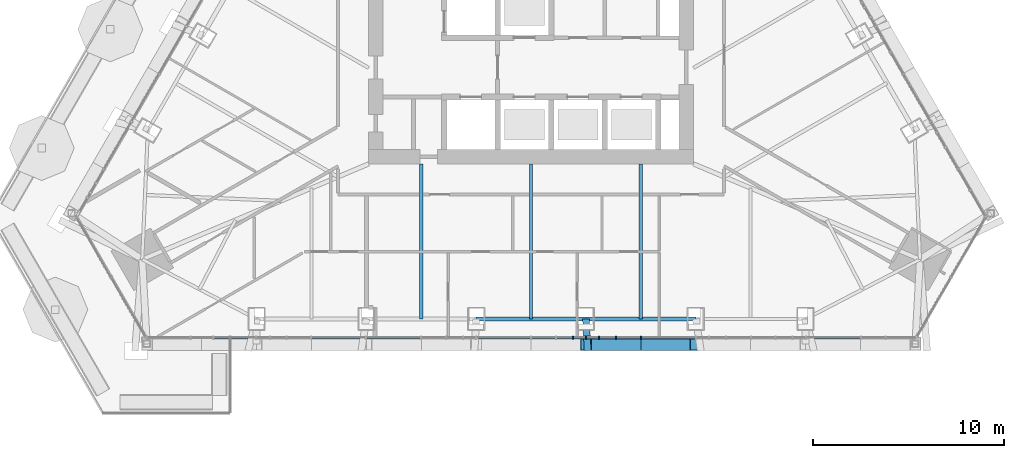
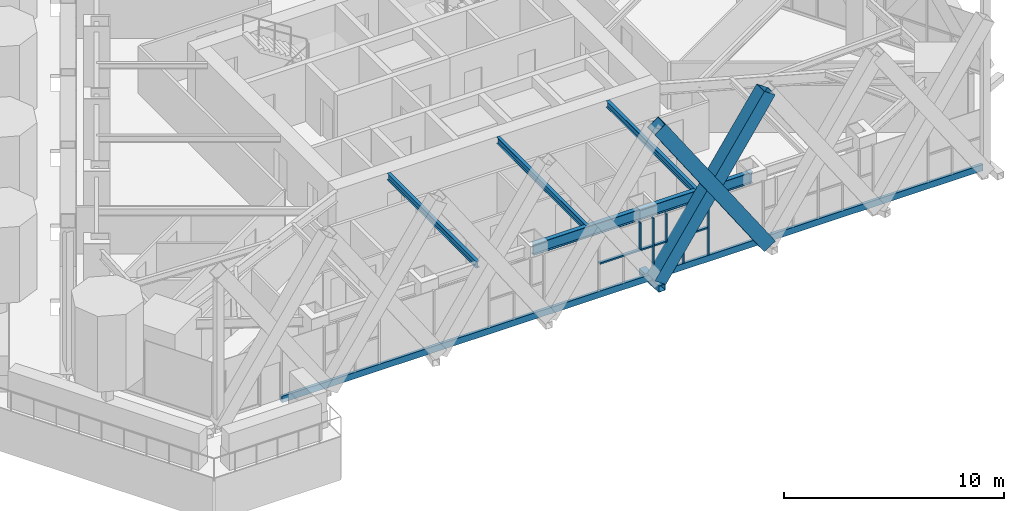
# One storey, part 3 of 24: 11 members, 4 beams, 1 element without a shape of its own.
"""IFC4 building model written with IfcOpenShell, lengths in metres."""

from ifc_helpers import new_model, si_unit, direction, frame, origin, origin_2d, place, context, subcontext, project, spatial, rectangle, hollow_rectangle, i_section, extrude, material, layer, layer_set, material_profile, profile_set, type_object, element, aggregate, save


model = new_model("IFC4")

# Units and contexts
model_context = context("Model", 3, precision=1e-05, world=origin(), true_north=direction((0.0, 1.0)))
body_context = subcontext(model_context, "Body", "Model", "MODEL_VIEW")
ifc_project = project(units=[si_unit("LENGTHUNIT", "METRE"), si_unit("AREAUNIT", "SQUARE_METRE"), si_unit("VOLUMEUNIT", "CUBIC_METRE"), si_unit("PLANEANGLEUNIT", "RADIAN"), si_unit("MASSUNIT", "GRAM", prefix="KILO")], contexts=[model_context])

# Site, building, storey
site_placement = place(None, origin())
site = spatial("IfcSite", under=ifc_project, at=site_placement, CompositionType="ELEMENT")
building_placement = place(site_placement, origin())
building = spatial("IfcBuilding", under=site, at=building_placement, Name="Firuza Gate Tower and Library", CompositionType="ELEMENT")
storey_placement = place(building_placement, frame((0.0, 0.0, 323.10009765625)))
storey = spatial("IfcBuildingStorey", under=building, at=storey_placement, Name="L79", CompositionType="ELEMENT", Elevation=323.10009765625)

# Members
ifc_material_1 = material(Name="Steel S355", Category="steel")
ifc_material_profile_1 = material_profile(ifc_material_1, hollow_rectangle(XDim=0.699951171875, YDim=0.699951171875, WallThickness=0.030029296875, at=origin_2d()))
ifc_profile_set_1 = profile_set([ifc_material_profile_1], Name="Steel S355")
member_type_1 = type_object("IfcMemberType", Name="BU700x700x30 Lattice brace", PredefinedType="BRACE", material=ifc_profile_set_1)
for number, where, z_axis, x_axis, name in (
    (1, (77.8720703125, 58.8359375, 0.0), (0.559901128123, 0.0, 0.828559428603), (0.0, 1.0, 0.0), "Lattice brace S 21.5R"),
    (2, (83.615966796875, 58.8359375, 0.0), (-0.559901128123, 0.0, 0.828559428603), (0.0, -1.0, 0.0), "Lattice brace S 21.5L"),
):
    element("IfcMember", number, at=place(storey_placement, frame(where, z_axis=z_axis, x_axis=x_axis)), inside=storey, type_object=member_type_1, Name=name, PredefinedType="BRACE", context=body_context, shape_type="SweptSolid", body=[
        extrude(hollow_rectangle(XDim=0.699951171875, YDim=0.699951171875, WallThickness=0.030029296875, at=origin_2d()), origin(), (0.0, 0.0, 1.0), 10.2587890625),
    ])

# Curtain wall, members
ifc_material_2 = material(Name="Aluminium 6063-T6", Category="aluminium")
ifc_layer = layer(ifc_material_2, 0.14990234375)
ifc_layer_set = layer_set([ifc_layer], Name="Unitised curtain wall, residences")
curtain_wall_type = type_object("IfcCurtainWallType", Name="Unitised curtain wall, residences", PredefinedType="NOTDEFINED", material=ifc_layer_set)
curtain_wall_placement = place(storey_placement, origin())
curtain_wall = element("IfcCurtainWall", 3, at=curtain_wall_placement, inside=storey, type_object=curtain_wall_type, Name="CW3 L79 S face", PredefinedType="NOTDEFINED")
ifc_material_3 = material(Name="Aluminium 6063-T6", Category="aluminium")
ifc_material_profile_2 = material_profile(ifc_material_3, rectangle(XDim=0.14990234375, YDim=0.080078125, at=origin_2d()))
ifc_profile_set_2 = profile_set([ifc_material_profile_2], Name="Aluminium 6063-T6")
member_type_2 = type_object("IfcMemberType", Name="Curtain wall mullion 80x150", PredefinedType="MULLION", material=ifc_profile_set_2)
member_1_placement = place(storey_placement, frame((77.878173828125, 59.1611328125, 0.14990234375), z_axis=(0.0, 0.0, 1.0), x_axis=(0.0, 1.0, 0.0)))
member_1 = element("IfcMember", 4, at=member_1_placement, type_object=member_type_2, Name="Mullion", PredefinedType="MULLION", context=body_context, shape_type="SweptSolid", body=[
    extrude(rectangle(XDim=0.14990234375, YDim=0.080078125, at=origin_2d()), origin(), (0.0, 0.0, 1.0), 3.050048828125),
])
member_2_placement = place(storey_placement, frame((80.75634765625, 59.1611328125, 0.14990234375), z_axis=(0.0, 0.0, 1.0), x_axis=(0.0, 1.0, 0.0)))
member_2 = element("IfcMember", 5, at=member_2_placement, type_object=member_type_2, Name="Mullion", PredefinedType="MULLION", context=body_context, shape_type="SweptSolid", body=[
    extrude(rectangle(XDim=0.14990234375, YDim=0.080078125, at=origin_2d()), origin(), (0.0, 0.0, 1.0), 3.050048828125),
])
member_3_placement = place(storey_placement, frame((77.180419921875, 59.1611328125, 1.71484375), z_axis=(0.0, 0.0, 1.0), x_axis=(0.0, 1.0, 0.0)))
member_3 = element("IfcMember", 6, at=member_3_placement, type_object=member_type_2, Name="Mullion", PredefinedType="MULLION", context=body_context, shape_type="SweptSolid", body=[
    extrude(rectangle(XDim=0.14990234375, YDim=0.080078125, at=origin_2d()), origin(), (0.0, 0.0, 1.0), 1.485107421875),
])
member_4_placement = place(storey_placement, frame((79.4443359375, 59.1611328125, 0.14990234375), z_axis=(0.0, 0.0, 1.0), x_axis=(0.0, 1.0, 0.0)))
member_4 = element("IfcMember", 7, at=member_4_placement, type_object=member_type_2, Name="Mullion", PredefinedType="MULLION", context=body_context, shape_type="SweptSolid", body=[
    extrude(rectangle(XDim=0.14990234375, YDim=0.080078125, at=origin_2d()), origin(), (0.0, 0.0, 1.0), 1.485107421875),
])
member_5_placement = place(storey_placement, frame((78.5634765625, 59.1611328125, 1.71484375), z_axis=(0.0, 0.0, 1.0), x_axis=(0.0, 1.0, 0.0)))
member_5 = element("IfcMember", 8, at=member_5_placement, type_object=member_type_2, Name="Mullion", PredefinedType="MULLION", context=body_context, shape_type="SweptSolid", body=[
    extrude(rectangle(XDim=0.14990234375, YDim=0.080078125, at=origin_2d()), origin(), (0.0, 0.0, 1.0), 1.485107421875),
])
ifc_material_4 = material(Name="Aluminium 6063-T6", Category="aluminium")
ifc_material_profile_3 = material_profile(ifc_material_4, rectangle(XDim=0.14990234375, YDim=0.35009765625, at=origin_2d()))
ifc_profile_set_3 = profile_set([ifc_material_profile_3], Name="Aluminium 6063-T6")
member_type_3 = type_object("IfcMemberType", Name="Curtain wall transom 350x150", PredefinedType="USERDEFINED", material=ifc_profile_set_3)
member_6_placement = place(storey_placement, frame((58.372802734375, 59.1611328125, -0.025146484375), z_axis=(1.0, 0.0, 0.0), x_axis=(0.0, 1.0, 0.0)))
member_6 = element("IfcMember", 9, at=member_6_placement, type_object=member_type_3, Name="Transom", ObjectType="TRANSOM", PredefinedType="USERDEFINED", context=body_context, shape_type="SweptSolid", body=[
    extrude(rectangle(XDim=0.14990234375, YDim=0.35009765625, at=origin_2d()), origin(), (0.0, 0.0, 1.0), 36.7744140625),
])
ifc_material_5 = material(Name="Aluminium 6063-T6", Category="aluminium")
ifc_material_profile_4 = material_profile(ifc_material_5, rectangle(XDim=0.14990234375, YDim=0.080078125, at=origin_2d()))
ifc_profile_set_4 = profile_set([ifc_material_profile_4], Name="Aluminium 6063-T6")
member_type_4 = type_object("IfcMemberType", Name="Curtain wall transom 80x150", PredefinedType="USERDEFINED", material=ifc_profile_set_4)
member_7_placement = place(storey_placement, frame((75.0400390625, 59.1611328125, 1.6748046875), z_axis=(1.0, 0.0, 0.0), x_axis=(0.0, 1.0, 0.0)))
member_7 = element("IfcMember", 10, at=member_7_placement, type_object=member_type_4, Name="Transom", ObjectType="TRANSOM", PredefinedType="USERDEFINED", context=body_context, shape_type="SweptSolid", body=[
    extrude(rectangle(XDim=0.14990234375, YDim=0.080078125, at=origin_2d()), origin(), (0.0, 0.0, 1.0), 2.798095703125),
])
member_8_placement = place(storey_placement, frame((77.918212890625, 59.1611328125, 1.6748046875), z_axis=(1.0, 0.0, 0.0), x_axis=(0.0, 1.0, 0.0)))
member_8 = element("IfcMember", 11, at=member_8_placement, type_object=member_type_4, Name="Transom", ObjectType="TRANSOM", PredefinedType="USERDEFINED", context=body_context, shape_type="SweptSolid", body=[
    extrude(rectangle(XDim=0.14990234375, YDim=0.080078125, at=origin_2d()), origin(), (0.0, 0.0, 1.0), 2.798095703125),
])
aggregate(curtain_wall, [member_1, member_2, member_6, member_3, member_7, member_4, member_5, member_8])

# Member
ifc_material_6 = material(Name="Steel S355", Category="steel")
ifc_material_profile_5 = material_profile(ifc_material_6, hollow_rectangle(XDim=0.355712890625, YDim=0.355712890625, WallThickness=0.014892578125, at=origin_2d()))
ifc_profile_set_5 = profile_set([ifc_material_profile_5], Name="Steel S355")
member_type_5 = type_object("IfcMemberType", Name="HSS356x356x16 Lattice node tie", PredefinedType="BRACE", material=ifc_profile_set_5)
member_9_placement = place(storey_placement, frame((77.8720703125, 60.135986328125, -0.320068359375), z_axis=(0.053014856294, -0.9985937237, 0.0), x_axis=(0.9985937237, 0.053014856294, 0.0)))
element("IfcMember", 12, at=member_9_placement, inside=storey, type_object=member_type_5, Name="Lattice node tie S L79 583", PredefinedType="BRACE", context=body_context, shape_type="SweptSolid", body=[
    extrude(hollow_rectangle(XDim=0.355712890625, YDim=0.355712890625, WallThickness=0.014892578125, at=origin_2d()), origin(), (0.0, 0.0, 1.0), 1.657958984375),
])

# Beams
ifc_material_7 = material(Name="Steel S355", Category="steel")
ifc_material_profile_6 = material_profile(ifc_material_7, i_section(OverallWidth=0.1708984375, OverallDepth=0.35498046875, WebThickness=0.007080078125, FlangeThickness=0.01171875, at=origin_2d()))
ifc_profile_set_6 = profile_set([ifc_material_profile_6], Name="Steel S355")
beam_type_1 = type_object("IfcBeamType", Name="W360x51 Floor beam", PredefinedType="JOIST", material=ifc_profile_set_6)
for number, where, z_axis, x_axis, name in (
    (13, (69.256103515625, 60.135986328125, 3.0224609375), (0.0, 1.0, 0.0), (-1.0, 0.0, 0.0), "Floor beam L79 s21"),
    (14, (75.0, 60.135986328125, 3.0224609375), (0.0, 1.0, 0.0), (-1.0, 0.0, 0.0), "Floor beam L79 s22"),
    (15, (80.743896484375, 60.135986328125, 3.0224609375), (0.0, 1.0, 0.0), (-1.0, 0.0, 0.0), "Floor beam L79 s23"),
):
    element("IfcBeam", number, at=place(storey_placement, frame(where, z_axis=z_axis, x_axis=x_axis)), inside=storey, type_object=beam_type_1, Name=name, PredefinedType="JOIST", context=body_context, shape_type="SweptSolid", body=[
        extrude(i_section(OverallWidth=0.1708984375, OverallDepth=0.35498046875, WebThickness=0.007080078125, FlangeThickness=0.01171875, at=origin_2d()), origin(), (0.0, 0.0, 1.0), 8.114013671875),
    ])
ifc_material_8 = material(Name="Steel S355", Category="steel")
ifc_material_profile_7 = material_profile(ifc_material_8, i_section(OverallWidth=0.22900390625, OverallDepth=0.612060546875, WebThickness=0.011962890625, FlangeThickness=0.01953125, at=origin_2d()))
ifc_profile_set_7 = profile_set([ifc_material_profile_7], Name="Steel S355")
beam_type_2 = type_object("IfcBeamType", Name="W610x125 Edge beam", PredefinedType="SPANDREL", material=ifc_profile_set_7)
beam_placement = place(storey_placement, frame((72.1279296875, 60.135986328125, 2.893798828125), z_axis=(1.0, 0.0, 0.0), x_axis=(0.0, 1.0, 0.0)))
element("IfcBeam", 16, at=beam_placement, inside=storey, type_object=beam_type_2, Name="Edge beam L79 e22", PredefinedType="SPANDREL", context=body_context, shape_type="SweptSolid", body=[
    extrude(i_section(OverallWidth=0.22900390625, OverallDepth=0.612060546875, WebThickness=0.011962890625, FlangeThickness=0.01953125, at=origin_2d()), origin(), (0.0, 0.0, 1.0), 11.488037109375),
])

save(model, "model.ifc")
